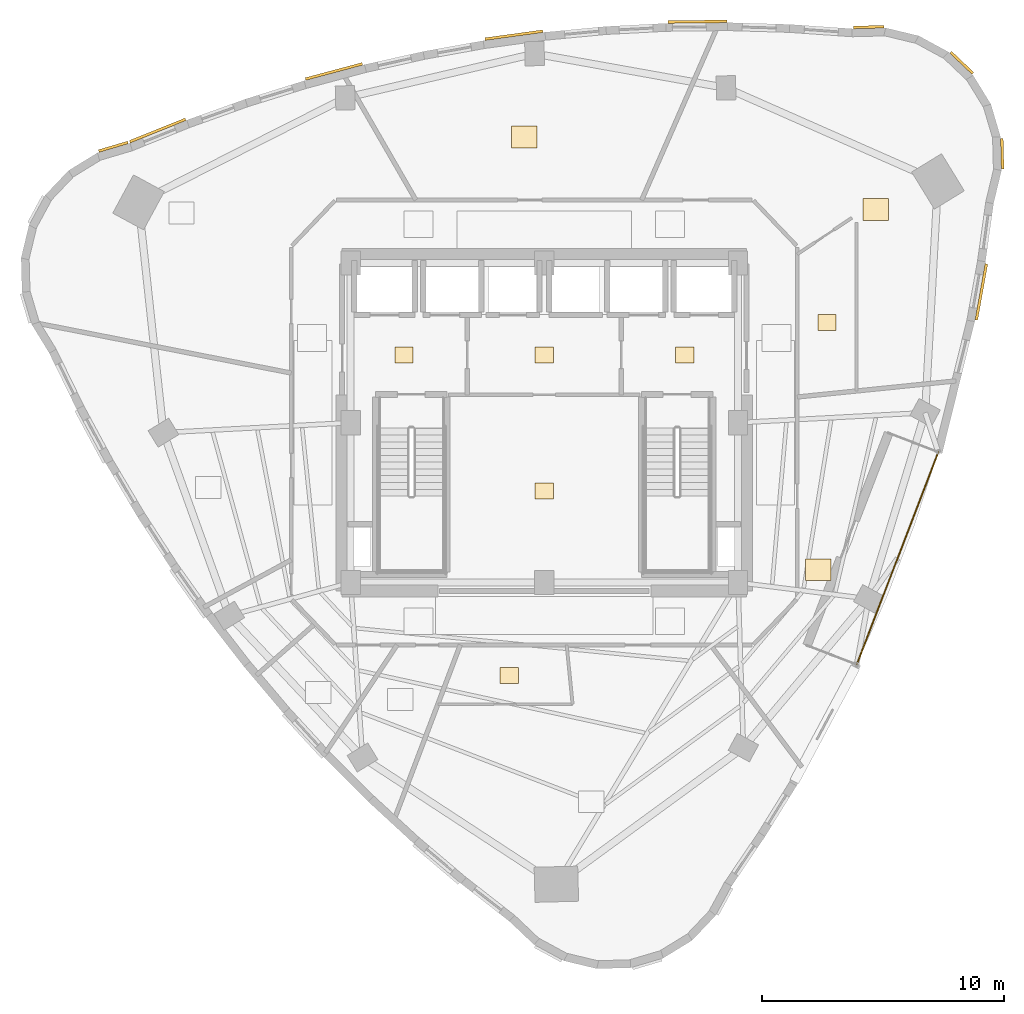
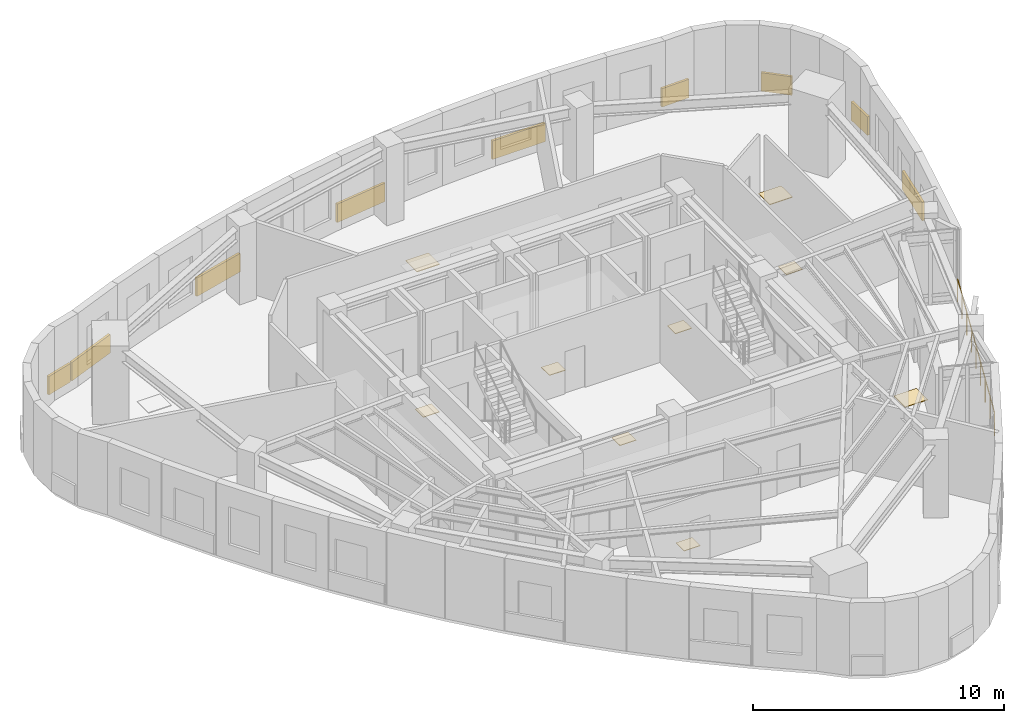
# One storey, part 10 of 10: 18 coverings, 1 railing.
"""IFC4 building model written with IfcOpenShell, lengths in metres."""

import ifcopenshell
import ifcopenshell.guid

model = None  # the IFC model being written
_history = None  # IfcOwnerHistory: only IFC2X3 demands one
_inside = {}  # id of a spatial element -> (the spatial element, [elements in it])
_under = {}  # id of a project, library or spatial element -> (it, [spatial elements below it])
_declared = {}  # id of a project -> (the project, [libraries it declares])
_typed = {}  # id of a type object -> (the type object, [elements of that type])
_made_of = {}  # id of a material, layer set ... -> (it, [elements and type objects made of it])


def new_model(schema):
    """Start an empty IFC model of exactly this schema.

    Asked for "IFC4X3", IfcOpenShell would pick the latest addendum, in which some entities
    have other attributes; the version numbers below select the first issue.
    IFC2X3 requires an IfcOwnerHistory on every rooted entity: one is made here for all.
    """
    global model, _history
    if schema == "IFC4X3":
        model = ifcopenshell.file(schema_version=(4, 3, 0, 0))
    else:
        model = ifcopenshell.file(schema=schema)
    _inside.clear()
    _under.clear()
    _declared.clear()
    _typed.clear()
    _made_of.clear()
    _history = None
    if model.schema == "IFC2X3":
        org = make("IfcOrganization", Name="unknown")
        user = make(
            "IfcPersonAndOrganization",
            ThePerson=make("IfcPerson", FamilyName="unknown"),
            TheOrganization=org,
        )
        app = make(
            "IfcApplication",
            ApplicationDeveloper=org,
            Version="unknown",
            ApplicationFullName="unknown",
            ApplicationIdentifier="unknown",
        )
        _history = make(
            "IfcOwnerHistory",
            OwningUser=user,
            OwningApplication=app,
            ChangeAction="ADDED",
            CreationDate=0,
        )
    return model


def make(cls, **values):
    """One entity of the class cls with the attributes given. An attribute that is None is left unset."""
    return model.create_entity(
        cls, **{name: value for name, value in values.items() if value is not None}
    )


def rooted(cls, **values):
    """An entity with a GlobalId (a new one), such as an element, a storey or a relation."""
    return make(cls, GlobalId=ifcopenshell.guid.new(), OwnerHistory=_history, **values)


def si_unit(unit_type, name, prefix=None):
    """IfcSIUnit, for example si_unit("LENGTHUNIT", "METRE", prefix="MILLI")."""
    return make("IfcSIUnit", UnitType=unit_type, Prefix=prefix, Name=name)


def assignment(units):
    """IfcUnitAssignment: the units of a project."""
    return None if units is None else make("IfcUnitAssignment", Units=units)


def point(xyz):
    """IfcCartesianPoint."""
    return None if xyz is None else make("IfcCartesianPoint", Coordinates=xyz)


def direction(xyz):
    """IfcDirection."""
    return None if xyz is None else make("IfcDirection", DirectionRatios=xyz)


def frame(location, z_axis=None, x_axis=None):
    """IfcAxis2Placement3D, a coordinate frame: its origin and axes. An axis left out is left unset."""
    return make(
        "IfcAxis2Placement3D",
        Location=point(location),
        Axis=direction(z_axis),
        RefDirection=direction(x_axis),
    )


def frame_2d(location, x_axis=None):
    """IfcAxis2Placement2D, a coordinate frame in the plane: its origin and x axis."""
    return make(
        "IfcAxis2Placement2D", Location=point(location), RefDirection=direction(x_axis)
    )


def origin():
    """The frame at (0, 0, 0) with its axes left unset."""
    return frame((0.0, 0.0, 0.0))


def origin_2d():
    """The frame at (0, 0) in the plane with its x axis left unset."""
    return frame_2d((0.0, 0.0))


def place(relative_to, where):
    """IfcLocalPlacement: puts the frame where relative to a parent placement (None: the world)."""
    return make(
        "IfcLocalPlacement", PlacementRelTo=relative_to, RelativePlacement=where
    )


def context(
    kind, dimensions, precision=None, world=None, true_north=None, identifier=None
):
    """IfcGeometricRepresentationContext, for example the 3D "Model" context."""
    return make(
        "IfcGeometricRepresentationContext",
        ContextIdentifier=identifier,
        ContextType=kind,
        CoordinateSpaceDimension=dimensions,
        Precision=precision,
        WorldCoordinateSystem=world,
        TrueNorth=true_north,
    )


def subcontext(parent, identifier, kind, view, scale=None):
    """IfcGeometricRepresentationSubContext, for example "Body" below "Model"."""
    return make(
        "IfcGeometricRepresentationSubContext",
        ContextIdentifier=identifier,
        ContextType=kind,
        ParentContext=parent,
        TargetScale=scale,
        TargetView=view,
    )


def project(units=None, contexts=None):
    """IfcProject with its units and contexts."""
    return rooted(
        "IfcProject",
        Name="project",
        RepresentationContexts=contexts,
        UnitsInContext=assignment(units),
    )


def spatial(cls, under=None, at=None, **own):
    """A site, building, storey or space (cls), placed at a placement, below another one or the project."""
    s = rooted(cls, ObjectPlacement=at, **own)
    if under is not None:
        _under.setdefault(under.id(), (under, []))[1].append(s)
    return s


def profile(cls, at=None, kind="AREA", **sizes):
    """A parametric profile (cls). Its sizes go by their IFC names, for example OverallWidth=200.0."""
    return make(cls, ProfileType=kind, Position=at, **sizes)


def rectangle(**sizes):
    """IfcRectangleProfileDef."""
    return profile("IfcRectangleProfileDef", **sizes)


def circle(**sizes):
    """IfcCircleProfileDef."""
    return profile("IfcCircleProfileDef", **sizes)


def extrude(swept, where, along, depth):
    """IfcExtrudedAreaSolid: the profile swept, set in the frame where, extruded along a direction by depth."""
    return make(
        "IfcExtrudedAreaSolid",
        SweptArea=swept,
        Position=where,
        ExtrudedDirection=direction(along),
        Depth=depth,
    )


def shape(context_of_items, identifier, shape_type, items):
    """IfcShapeRepresentation: the items that make up one representation, for example the "Body"."""
    return make(
        "IfcShapeRepresentation",
        ContextOfItems=context_of_items,
        RepresentationIdentifier=identifier,
        RepresentationType=shape_type,
        Items=items,
    )


def material(Name=None, Category=None):
    """IfcMaterial."""
    return make("IfcMaterial", Name=Name, Category=Category)


def layer(
    of_material, thickness, ventilated=None, Name=None, Category=None, Priority=None
):
    """IfcMaterialLayer: one layer of a wall or slab, of a material (None: an air gap)."""
    return make(
        "IfcMaterialLayer",
        Material=of_material,
        LayerThickness=thickness,
        IsVentilated=ventilated,
        Name=Name,
        Category=Category,
        Priority=Priority,
    )


def layer_set(layers, Name=None):
    """IfcMaterialLayerSet."""
    return make("IfcMaterialLayerSet", MaterialLayers=layers, LayerSetName=Name)


def made_of(thing, what):
    """Note that an element or type object is made of a material, layer set ...; save() writes the relation."""
    if what is not None:
        _made_of.setdefault(what.id(), (what, []))[1].append(thing)
    return thing


def type_object(cls, material=None, **own):
    """A type object (cls), such as IfcWallType, which elements share."""
    return made_of(rooted(cls, **own), material)


def element(
    cls,
    number,
    at=None,
    inside=None,
    cuts=None,
    type_object=None,
    material=None,
    context=None,
    identifier="Body",
    shape_type=None,
    held_by="IfcProductDefinitionShape",
    body=None,
    shapes=None,
    **own,
):
    """One element of the class cls, such as IfcWall. Its Tag is "e" and its number.

    at: its placement. inside: the storey or other place that contains it. cuts: it is an
    opening in that element (IfcRelVoidsElement). A single representation is given by context,
    identifier, shape_type and body (its items); several are given by shapes. held_by: the class
    of the entity that holds the representations. save() writes the other relations.
    """
    e = rooted(cls, Tag="e%d" % number, ObjectPlacement=at, **own)
    if body is not None:
        shapes = [shape(context, identifier, shape_type, body)]
    if shapes is not None:
        e.Representation = make(held_by, Representations=shapes)
    if inside is not None:
        _inside.setdefault(inside.id(), (inside, []))[1].append(e)
    if cuts is not None:
        rooted(
            "IfcRelVoidsElement", RelatingBuildingElement=cuts, RelatedOpeningElement=e
        )
    if type_object is not None:
        _typed.setdefault(type_object.id(), (type_object, []))[1].append(e)
    return made_of(e, material)


def aggregate(whole, parts):
    """IfcRelAggregates: a whole, such as a stair, and the parts it consists of."""
    return rooted("IfcRelAggregates", RelatingObject=whole, RelatedObjects=parts)


def save(model, path):
    """Write the relations noted so far, then the file.

    IfcRelAggregates (storeys below a building ...), IfcRelContainedInSpatialStructure (elements
    in a storey), IfcRelDefinesByType, IfcRelAssociatesMaterial and IfcRelDeclares: one each for
    every whole, place, type object, material and project.
    """
    for whole, parts in _under.values():
        aggregate(whole, parts)
    for where, things in _inside.values():
        rooted(
            "IfcRelContainedInSpatialStructure",
            RelatedElements=things,
            RelatingStructure=where,
        )
    for kind, things in _typed.values():
        rooted("IfcRelDefinesByType", RelatedObjects=things, RelatingType=kind)
    for what, things in _made_of.values():
        rooted("IfcRelAssociatesMaterial", RelatedObjects=things, RelatingMaterial=what)
    for by, libraries in _declared.values():
        rooted("IfcRelDeclares", RelatingContext=by, RelatedDefinitions=libraries)
    model.write(path)


model = new_model("IFC4")

# Units and contexts
model_context = context("Model", 3, precision=1e-05, world=origin(), true_north=direction((0.0, 1.0)))
body_context = subcontext(model_context, "Body", "Model", "MODEL_VIEW")
ifc_project = project(units=[si_unit("LENGTHUNIT", "METRE"), si_unit("AREAUNIT", "SQUARE_METRE"), si_unit("VOLUMEUNIT", "CUBIC_METRE"), si_unit("PLANEANGLEUNIT", "RADIAN"), si_unit("MASSUNIT", "GRAM", prefix="KILO")], contexts=[model_context])

# Site, building, storey
site_placement = place(None, origin())
site = spatial("IfcSite", under=ifc_project, at=site_placement, CompositionType="ELEMENT")
building_placement = place(site_placement, origin())
building = spatial("IfcBuilding", under=site, at=building_placement, Name="Ndelora Gate Hotel", CompositionType="ELEMENT")
storey_placement = place(building_placement, frame((0.0, 0.0, 247.35009765625)))
storey = spatial("IfcBuildingStorey", under=building, at=storey_placement, Name="L62", CompositionType="ELEMENT", Elevation=247.35009765625)

# Coverings
ifc_material_1 = material(Name="Terracotta Fired Clay Brick Slip Cladding", Category="masonry")
ifc_layer_1 = layer(ifc_material_1, 0.110107421875)
ifc_layer_set_1 = layer_set([ifc_layer_1], Name="Terracotta Fired Clay Brick Slip Cladding")
covering_type_1 = type_object("IfcCoveringType", Name="COV-CLAD-BRK", PredefinedType="CLADDING", material=ifc_layer_set_1)
covering_1_placement = place(storey_placement, frame((-17.797119140625, 11.3984375, 0.099853515625), z_axis=(0.0, 0.0, 1.0), x_axis=(0.958819734868, 0.284015344704, 0.0)))
element("IfcCovering", 1, at=covering_1_placement, inside=storey, type_object=covering_type_1, Name="L62 Rounded-Corner Brick Cladding Band 1", PredefinedType="CLADDING", context=body_context, shape_type="SweptSolid", body=[
    extrude(rectangle(XDim=1.257080078125, YDim=0.110107421875, at=origin_2d()), origin(), (0.0, 0.0, 1.0), 0.89990234375),
])
covering_2_placement = place(storey_placement, frame((18.0537109375, 5.40087890625, 0.099853515625), z_axis=(0.0, 0.0, 1.0), x_axis=(0.176569392453, 0.984288194407, 0.0)))
element("IfcCovering", 2, at=covering_2_placement, inside=storey, type_object=covering_type_1, Name="L62 Rounded-Corner Brick Cladding Band 37", PredefinedType="CLADDING", context=body_context, shape_type="SweptSolid", body=[
    extrude(rectangle(XDim=2.35888671875, YDim=0.110107421875, at=origin_2d()), origin(), (0.0, 0.0, 1.0), 0.89990234375),
])
covering_3_placement = place(storey_placement, frame((18.91650390625, 11.108642578125, 0.099853515625), z_axis=(0.0, 0.0, 1.0), x_axis=(-0.026176948308, 0.999657324976, 0.0)))
element("IfcCovering", 3, at=covering_3_placement, inside=storey, type_object=covering_type_1, Name="L62 Rounded-Corner Brick Cladding Band 40", PredefinedType="CLADDING", context=body_context, shape_type="SweptSolid", body=[
    extrude(rectangle(XDim=1.257080078125, YDim=0.110107421875, at=origin_2d()), origin(), (0.0, 0.0, 1.0), 0.89990234375),
])
covering_4_placement = place(storey_placement, frame((17.24365234375, 14.8662109375, 0.099853515625), z_axis=(0.0, 0.0, 1.0), x_axis=(-0.725374371012, 0.688354575694, 0.0)))
element("IfcCovering", 4, at=covering_4_placement, inside=storey, type_object=covering_type_1, Name="L62 Rounded-Corner Brick Cladding Band 43", PredefinedType="CLADDING", context=body_context, shape_type="SweptSolid", body=[
    extrude(rectangle(XDim=1.258056640625, YDim=0.110107421875, at=origin_2d()), origin(), (0.0, 0.0, 1.0), 0.89990234375),
])
covering_5_placement = place(storey_placement, frame((13.40380859375, 16.340087890625, 0.099853515625), z_axis=(0.0, 0.0, 1.0), x_axis=(0.999657324976, 0.026176948308, 0.0)))
element("IfcCovering", 5, at=covering_5_placement, inside=storey, type_object=covering_type_1, Name="L62 Rounded-Corner Brick Cladding Band 46", PredefinedType="CLADDING", context=body_context, shape_type="SweptSolid", body=[
    extrude(rectangle(XDim=1.257080078125, YDim=0.110107421875, at=origin_2d()), origin(), (0.0, 0.0, 1.0), 0.89990234375),
])
covering_6_placement = place(storey_placement, frame((6.322998046875, 16.563720703125, 0.099853515625), z_axis=(0.0, 0.0, 1.0), x_axis=(0.999937615001, 0.011169874929, 0.0)))
element("IfcCovering", 6, at=covering_6_placement, inside=storey, type_object=covering_type_1, Name="L62 Rounded-Corner Brick Cladding Band 49", PredefinedType="CLADDING", context=body_context, shape_type="SweptSolid", body=[
    extrude(rectangle(XDim=2.443115234375, YDim=0.110107421875, at=origin_2d()), origin(), (0.0, 0.0, 1.0), 0.89990234375),
])
covering_7_placement = place(storey_placement, frame((-1.257080078125, 16.006591796875, 0.099853515625), z_axis=(0.0, 0.0, 1.0), x_axis=(0.990747840471, 0.135715572434, 0.0)))
element("IfcCovering", 7, at=covering_7_placement, inside=storey, type_object=covering_type_1, Name="L62 Rounded-Corner Brick Cladding Band 52", PredefinedType="CLADDING", context=body_context, shape_type="SweptSolid", body=[
    extrude(rectangle(XDim=2.416015625, YDim=0.110107421875, at=origin_2d()), origin(), (0.0, 0.0, 1.0), 0.89990234375),
])
covering_8_placement = place(storey_placement, frame((-8.688232421875, 14.5078125, 0.099853515625), z_axis=(0.0, 0.0, 1.0), x_axis=(0.965970984022, 0.258650455301, 0.0)))
element("IfcCovering", 8, at=covering_8_placement, inside=storey, type_object=covering_type_1, Name="L62 Rounded-Corner Brick Cladding Band 55", PredefinedType="CLADDING", context=body_context, shape_type="SweptSolid", body=[
    extrude(rectangle(XDim=2.428955078125, YDim=0.110107421875, at=origin_2d()), origin(), (0.0, 0.0, 1.0), 0.89990234375),
])
covering_9_placement = place(storey_placement, frame((-15.968994140625, 12.067626953125, 0.099853515625), z_axis=(0.0, 0.0, 1.0), x_axis=(0.927249221629, 0.374444763601, 0.0)))
element("IfcCovering", 9, at=covering_9_placement, inside=storey, type_object=covering_type_1, Name="L62 Rounded-Corner Brick Cladding Band 58", PredefinedType="CLADDING", context=body_context, shape_type="SweptSolid", body=[
    extrude(rectangle(XDim=2.48193359375, YDim=0.110107421875, at=origin_2d()), origin(), (0.0, 0.0, 1.0), 0.89990234375),
])
ifc_material_2 = material(Name="Engineered Highland Oak Parquet", Category="wood")
ifc_layer_2 = layer(ifc_material_2, 0.030029296875)
ifc_layer_set_2 = layer_set([ifc_layer_2], Name="Engineered Highland Oak Parquet")
covering_type_2 = type_object("IfcCoveringType", Name="COV-FLR-PARQ", PredefinedType="FLOORING", material=ifc_layer_set_2)
for number, where, z_axis, x_axis, name in (
    (10, (11.322021484375, -6.072265625, 0.0), (0.0, 0.0, 1.0), (1.0, 0.0, 0.0), "L62 Sky Garden Tea Dining Room Oak Parquet Flooring"),
    (11, (13.683349609375, 8.806884765625, 0.0), (0.0, 0.0, 1.0), (1.0, 0.0, 0.0), "L62 Corner Diplomatic Two-Bay Suite 6502 Oak Parquet Flooring"),
    (12, (-0.82080078125, 11.80078125, 0.0), (0.0, 0.0, 1.0), (1.0, 0.0, 0.0), "L62 Private Collectors Art Library Oak Parquet Flooring"),
):
    element("IfcCovering", number, at=place(storey_placement, frame(where, z_axis=z_axis, x_axis=x_axis)), inside=storey, type_object=covering_type_2, Name=name, PredefinedType="FLOORING", context=body_context, shape_type="SweptSolid", body=[
        extrude(rectangle(XDim=1.050048828125, YDim=0.89990234375, at=origin_2d()), origin(), (0.0, 0.0, 1.0), 0.030029296875),
    ])
ifc_material_3 = material(Name="Non-Slip Porcelain Wet-Room Tile", Category="ceramic")
ifc_layer_3 = layer(ifc_material_3, 0.02490234375)
ifc_layer_set_3 = layer_set([ifc_layer_3], Name="Non-Slip Porcelain Wet-Room Tile")
covering_type_3 = type_object("IfcCoveringType", Name="COV-FLR-TILE", PredefinedType="FLOORING", material=ifc_layer_set_3)
for number, where, z_axis, x_axis, name in (
    (13, (-5.800048828125, 2.800048828125, 0.0), (0.0, 0.0, 1.0), (1.0, 0.0, 0.0), "L62 Firefighting Lift Lobby West Porcelain Tile Flooring"),
    (14, (5.800048828125, 2.800048828125, 0.0), (0.0, 0.0, 1.0), (1.0, 0.0, 0.0), "L62 Firefighting Lift Lobby East Porcelain Tile Flooring"),
    (15, (0.0, 2.800048828125, 0.0), (0.0, 0.0, 1.0), (1.0, 0.0, 0.0), "L62 Central Passenger Lift Lobby Porcelain Tile Flooring"),
    (16, (0.0, -2.824951171875, 0.0), (0.0, 0.0, 1.0), (1.0, 0.0, 0.0), "L62 Core Electrical and Linen Service Store Porcelain Tile Flooring"),
    (17, (-1.447998046875, -10.4462890625, 0.0), (0.0, 0.0, 1.0), (1.0, 0.0, 0.0), "L62 En-suite Bathroom 6501 Porcelain Tile Flooring"),
    (18, (11.675048828125, 4.14208984375, 0.0), (0.0, 0.0, 1.0), (1.0, 0.0, 0.0), "L62 En-suite Bathroom 6502 Porcelain Tile Flooring"),
):
    element("IfcCovering", number, at=place(storey_placement, frame(where, z_axis=z_axis, x_axis=x_axis)), inside=storey, type_object=covering_type_3, Name=name, PredefinedType="FLOORING", context=body_context, shape_type="SweptSolid", body=[
        extrude(rectangle(XDim=0.75, YDim=0.64990234375, at=origin_2d()), origin(), (0.0, 0.0, 1.0), 0.02490234375),
    ])

# Railing
ifc_material_4 = material(Name="Laminated Safety Glass and Bronze Top Rail", Category="glass")
ifc_layer_4 = layer(ifc_material_4, 0.070068359375)
ifc_layer_set_4 = layer_set([ifc_layer_4], Name="Laminated Safety Glass and Bronze Top Rail")
railing_type = type_object("IfcRailingType", Name="RL-BAL-1150", PredefinedType="BALUSTRADE", material=ifc_layer_set_4)
railing_placement = place(storey_placement, frame((12.907470703125, -9.989013671875, 0.0)))
element("IfcRailing", 19, at=railing_placement, inside=storey, type_object=railing_type, Name="L62 Sky-Garden Loggia Terrace Balustrade", PredefinedType="BALUSTRADE", context=body_context, shape_type="SweptSolid", body=[
    extrude(circle(Radius=0.02392578125, at=origin_2d()), frame((0.0, 0.0, 1.1357421875), z_axis=(0.358368113904, 0.933580363406, 0.0), x_axis=(-0.933580363406, 0.358368113904, 0.0)), (0.0, 0.0, 1.0), 9.39990234375),
    extrude(circle(Radius=0.02099609375, at=origin_2d()), origin(), (0.0, 0.0, 1.0), 1.11181640625),
    extrude(circle(Radius=0.02099609375, at=origin_2d()), frame((0.421142578125, 1.096923828125, 0.0)), (0.0, 0.0, 1.0), 1.11181640625),
    extrude(circle(Radius=0.02099609375, at=origin_2d()), frame((0.84228515625, 2.19384765625, 0.0)), (0.0, 0.0, 1.0), 1.11181640625),
    extrude(circle(Radius=0.02099609375, at=origin_2d()), frame((1.26318359375, 3.290771484375, 0.0)), (0.0, 0.0, 1.0), 1.11181640625),
    extrude(circle(Radius=0.02099609375, at=origin_2d()), frame((1.684326171875, 4.3876953125, 0.0)), (0.0, 0.0, 1.0), 1.11181640625),
    extrude(circle(Radius=0.02099609375, at=origin_2d()), frame((2.10546875, 5.48486328125, 0.0)), (0.0, 0.0, 1.0), 1.11181640625),
    extrude(circle(Radius=0.02099609375, at=origin_2d()), frame((2.5263671875, 6.581787109375, 0.0)), (0.0, 0.0, 1.0), 1.11181640625),
    extrude(circle(Radius=0.02099609375, at=origin_2d()), frame((2.947509765625, 7.6787109375, 0.0)), (0.0, 0.0, 1.0), 1.11181640625),
    extrude(circle(Radius=0.02099609375, at=origin_2d()), frame((3.36865234375, 8.775634765625, 0.0)), (0.0, 0.0, 1.0), 1.11181640625),
])

save(model, "model.ifc")
